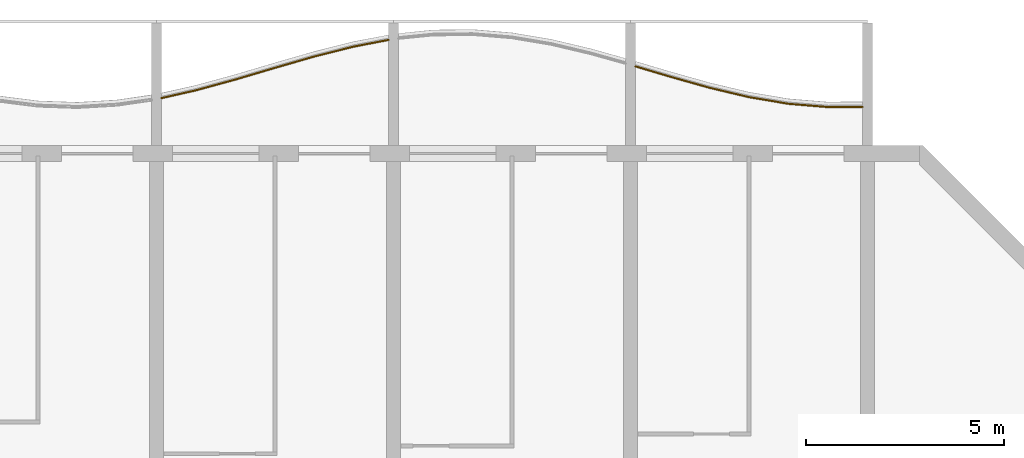
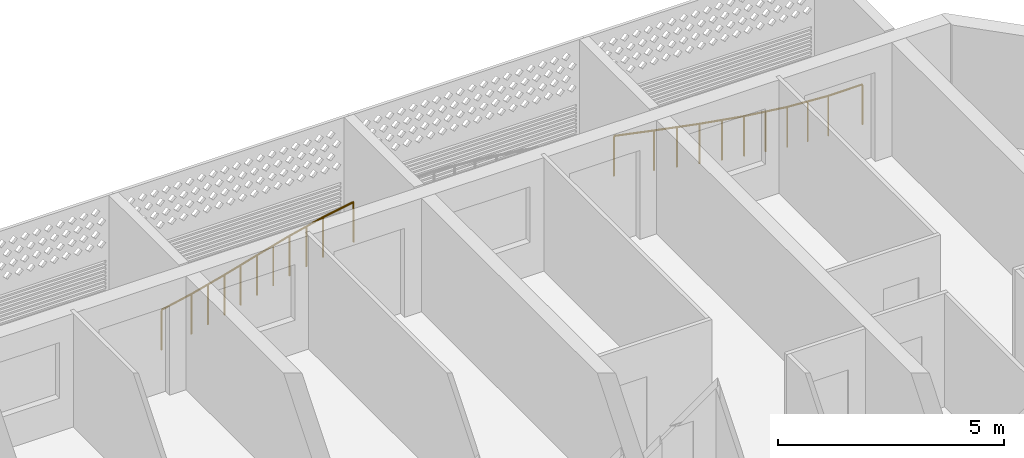
# One storey, part 24 of 27: 2 railings.
"""IFC4 building model written with IfcOpenShell, lengths in metres."""

from ifc_helpers import new_model, si_unit, direction, frame, origin, origin_2d, place, context, subcontext, project, spatial, circle, extrude, material, type_object, element, save


model = new_model("IFC4")

# Units and contexts
model_context = context("Model", 3, precision=1e-05, world=origin(), true_north=direction((0.0, 1.0)))
body_context = subcontext(model_context, "Body", "Model", "MODEL_VIEW")
ifc_project = project(units=[si_unit("LENGTHUNIT", "METRE"), si_unit("AREAUNIT", "SQUARE_METRE"), si_unit("VOLUMEUNIT", "CUBIC_METRE"), si_unit("PLANEANGLEUNIT", "RADIAN"), si_unit("MASSUNIT", "GRAM", prefix="KILO")], contexts=[model_context])

# Site, building, storey
site_placement = place(None, origin())
site = spatial("IfcSite", under=ifc_project, at=site_placement, CompositionType="ELEMENT")
building_placement = place(site_placement, origin())
building = spatial("IfcBuilding", under=site, at=building_placement, Name="Poui Terraces", CompositionType="ELEMENT")
storey_placement = place(building_placement, frame((0.0, 0.0, 92.699951171875)))
storey = spatial("IfcBuildingStorey", under=building, at=storey_placement, Name="L25", CompositionType="ELEMENT", Elevation=92.699951171875)

# Railings
ifc_material = material(Name="Painted steel fretwork", Category="steel")
railing_type = type_object("IfcRailingType", Name="BALCONY GUARD 1100", PredefinedType="GUARDRAIL", material=ifc_material)
railing_1_placement = place(storey_placement, frame((72.125, 45.002685546875, 0.0)))
element("IfcRailing", 1, at=railing_1_placement, inside=storey, type_object=railing_type, Name="BALCONY GUARD", PredefinedType="GUARDRAIL", context=body_context, shape_type="SweptSolid", body=[
    extrude(circle(Radius=0.02392578125, at=origin_2d()), frame((0.0, 0.0, 1.076171875), z_axis=(0.975340938218, 0.220703543777, 0.0), x_axis=(-0.220703543777, 0.975340938218, 0.0)), (0.0, 0.0, 1.0), 0.897216796875),
    extrude(circle(Radius=0.02392578125, at=origin_2d()), frame((0.875, 0.197998046875, 1.076171875), z_axis=(0.964709448785, 0.263316690367, 0.0), x_axis=(-0.263316690367, 0.964709448785, 0.0)), (0.0, 0.0, 1.0), 1.03662109375),
    extrude(circle(Radius=0.02392578125, at=origin_2d()), frame((1.875, 0.470947265625, 1.076171875), z_axis=(0.958965639945, 0.283522312005, 0.0), x_axis=(-0.283522312005, 0.958965639945, 0.0)), (0.0, 0.0, 1.0), 1.042724609375),
    extrude(circle(Radius=0.02392578125, at=origin_2d()), frame((2.875, 0.7666015625, 1.076171875), z_axis=(0.960857222001, 0.277044037887, 0.0), x_axis=(-0.277044037887, 0.960857222001, 0.0)), (0.0, 0.0, 1.0), 1.040771484375),
    extrude(circle(Radius=0.02392578125, at=origin_2d()), frame((3.875, 1.054931640625, 1.076171875), z_axis=(0.969975109493, 0.243204208362, 0.0), x_axis=(-0.243204208362, 0.969975109493, 0.0)), (0.0, 0.0, 1.0), 1.031005859375),
    extrude(circle(Radius=0.02392578125, at=origin_2d()), frame((4.875, 1.3056640625, 1.076171875), z_axis=(0.981967340867, 0.189050632031, 0.0), x_axis=(-0.189050632031, 0.981967340867, 0.0)), (0.0, 0.0, 1.0), 0.89111328125),
    extrude(circle(Radius=0.02099609375, at=origin_2d()), origin(), (0.0, 0.0, 1.0), 1.052001953125),
    extrude(circle(Radius=0.02099609375, at=origin_2d()), frame((0.875, 0.197998046875, 0.0)), (0.0, 0.0, 1.0), 1.052001953125),
    extrude(circle(Radius=0.02099609375, at=origin_2d()), frame((1.375, 0.33447265625, 0.0)), (0.0, 0.0, 1.0), 1.052001953125),
    extrude(circle(Radius=0.02099609375, at=origin_2d()), frame((1.875, 0.470947265625, 0.0)), (0.0, 0.0, 1.0), 1.052001953125),
    extrude(circle(Radius=0.02099609375, at=origin_2d()), frame((2.375, 0.61865234375, 0.0)), (0.0, 0.0, 1.0), 1.052001953125),
    extrude(circle(Radius=0.02099609375, at=origin_2d()), frame((2.875, 0.7666015625, 0.0)), (0.0, 0.0, 1.0), 1.052001953125),
    extrude(circle(Radius=0.02099609375, at=origin_2d()), frame((3.375, 0.91064453125, 0.0)), (0.0, 0.0, 1.0), 1.052001953125),
    extrude(circle(Radius=0.02099609375, at=origin_2d()), frame((3.875, 1.054931640625, 0.0)), (0.0, 0.0, 1.0), 1.052001953125),
    extrude(circle(Radius=0.02099609375, at=origin_2d()), frame((4.375, 1.18017578125, 0.0)), (0.0, 0.0, 1.0), 1.052001953125),
    extrude(circle(Radius=0.02099609375, at=origin_2d()), frame((4.875, 1.3056640625, 0.0)), (0.0, 0.0, 1.0), 1.052001953125),
    extrude(circle(Radius=0.02099609375, at=origin_2d()), frame((5.75, 1.47412109375, 0.0)), (0.0, 0.0, 1.0), 1.052001953125),
])
railing_2_placement = place(storey_placement, frame((84.125, 45.806396484375, 0.0)))
element("IfcRailing", 2, at=railing_2_placement, inside=storey, type_object=railing_type, Name="BALCONY GUARD", PredefinedType="GUARDRAIL", context=body_context, shape_type="SweptSolid", body=[
    extrude(circle(Radius=0.02392578125, at=origin_2d()), frame((0.0, 0.0, 1.076171875), z_axis=(0.958646866278, -0.284598288426, 0.0), x_axis=(0.284598288426, 0.958646866278, 0.0)), (0.0, 0.0, 1.0), 0.912841796875),
    extrude(circle(Radius=0.02392578125, at=origin_2d()), frame((0.875, -0.259765625, 1.076171875), z_axis=(0.962589664763, -0.270963350457, 0.0), x_axis=(0.270963350457, 0.962589664763, 0.0)), (0.0, 0.0, 1.0), 1.038818359375),
    extrude(circle(Radius=0.02392578125, at=origin_2d()), frame((1.875, -0.541259765625, 1.076171875), z_axis=(0.972979257535, -0.230892538653, 0.0), x_axis=(0.230892538653, 0.972979257535, 0.0)), (0.0, 0.0, 1.0), 1.02783203125),
    extrude(circle(Radius=0.02392578125, at=origin_2d()), frame((2.875, -0.778564453125, 1.076171875), z_axis=(0.986106132513, -0.166116511581, 0.0), x_axis=(0.166116511581, 0.986106132513, 0.0)), (0.0, 0.0, 1.0), 1.01416015625),
    extrude(circle(Radius=0.02392578125, at=origin_2d()), frame((3.875, -0.947021484375, 1.076171875), z_axis=(0.996592582512, -0.082481661492, 0.0), x_axis=(0.082481661492, 0.996592582512, 0.0)), (0.0, 0.0, 1.0), 1.00341796875),
    extrude(circle(Radius=0.02392578125, at=origin_2d()), frame((4.875, -1.02978515625, 1.076171875), z_axis=(0.999981160599, 0.006138277213, 0.0), x_axis=(-0.006138277213, 0.999981160599, 0.0)), (0.0, 0.0, 1.0), 0.875),
    extrude(circle(Radius=0.02099609375, at=origin_2d()), origin(), (0.0, 0.0, 1.0), 1.052001953125),
    extrude(circle(Radius=0.02099609375, at=origin_2d()), frame((0.875, -0.259765625, 0.0)), (0.0, 0.0, 1.0), 1.052001953125),
    extrude(circle(Radius=0.02099609375, at=origin_2d()), frame((1.375, -0.400390625, 0.0)), (0.0, 0.0, 1.0), 1.052001953125),
    extrude(circle(Radius=0.02099609375, at=origin_2d()), frame((1.875, -0.541259765625, 0.0)), (0.0, 0.0, 1.0), 1.052001953125),
    extrude(circle(Radius=0.02099609375, at=origin_2d()), frame((2.375, -0.659912109375, 0.0)), (0.0, 0.0, 1.0), 1.052001953125),
    extrude(circle(Radius=0.02099609375, at=origin_2d()), frame((2.875, -0.778564453125, 0.0)), (0.0, 0.0, 1.0), 1.052001953125),
    extrude(circle(Radius=0.02099609375, at=origin_2d()), frame((3.375, -0.86279296875, 0.0)), (0.0, 0.0, 1.0), 1.052001953125),
    extrude(circle(Radius=0.02099609375, at=origin_2d()), frame((3.875, -0.947021484375, 0.0)), (0.0, 0.0, 1.0), 1.052001953125),
    extrude(circle(Radius=0.02099609375, at=origin_2d()), frame((4.375, -0.98828125, 0.0)), (0.0, 0.0, 1.0), 1.052001953125),
    extrude(circle(Radius=0.02099609375, at=origin_2d()), frame((4.875, -1.02978515625, 0.0)), (0.0, 0.0, 1.0), 1.052001953125),
    extrude(circle(Radius=0.02099609375, at=origin_2d()), frame((5.75, -1.0244140625, 0.0)), (0.0, 0.0, 1.0), 1.052001953125),
])

save(model, "model.ifc")
